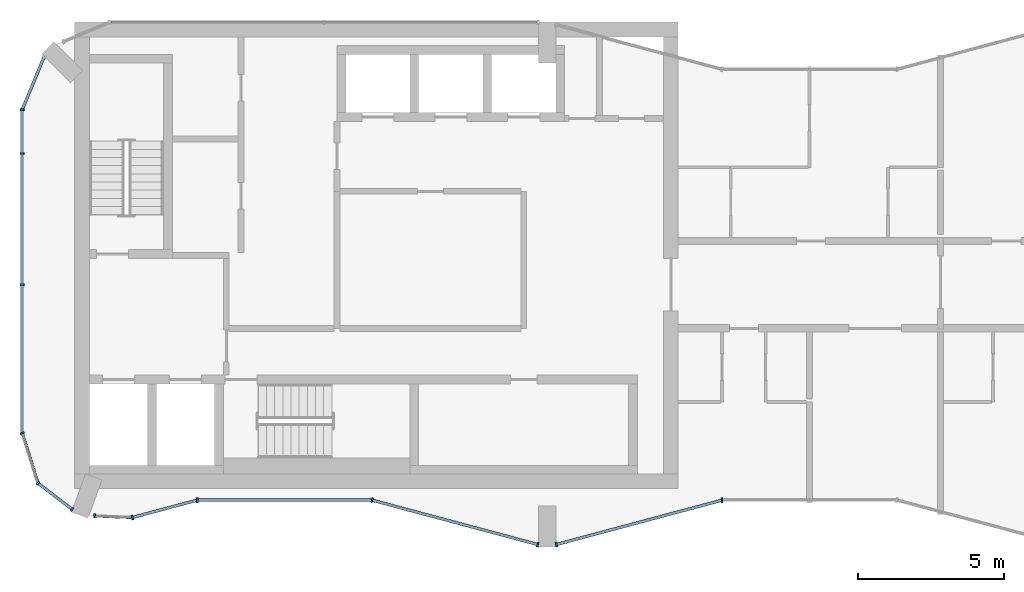
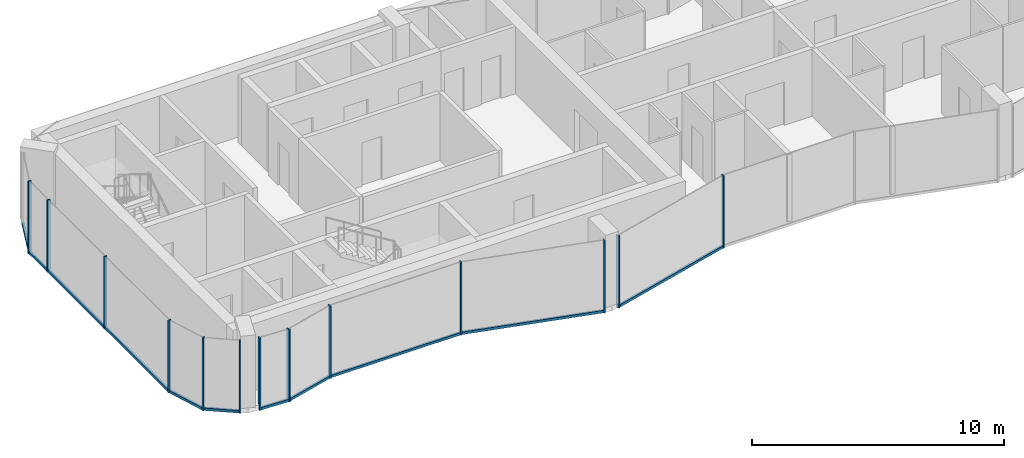
# One storey, part 2 of 10: 22 members, 10 elements without a shape of their own.
"""IFC4 building model written with IfcOpenShell, lengths in metres."""

from ifc_helpers import new_model, si_unit, direction, frame, origin, origin_2d, place, context, subcontext, project, spatial, rectangle, extrude, material, layer, layer_set, material_profile, profile_set, type_object, element, aggregate, save


model = new_model("IFC4")

# Units and contexts
model_context = context("Model", 3, precision=1e-05, world=origin(), true_north=direction((0.0, 1.0)))
body_context = subcontext(model_context, "Body", "Model", "MODEL_VIEW")
ifc_project = project(units=[si_unit("LENGTHUNIT", "METRE"), si_unit("AREAUNIT", "SQUARE_METRE"), si_unit("VOLUMEUNIT", "CUBIC_METRE"), si_unit("PLANEANGLEUNIT", "RADIAN"), si_unit("MASSUNIT", "GRAM", prefix="KILO")], contexts=[model_context])

# Site, building, storey
site_placement = place(None, origin())
site = spatial("IfcSite", under=ifc_project, at=site_placement, CompositionType="ELEMENT")
building_placement = place(site_placement, origin())
building = spatial("IfcBuilding", under=site, at=building_placement, Name="Plateau Cross Towers", CompositionType="ELEMENT")
storey_placement = place(building_placement, frame((0.0, 0.0, 249.39990234375)))
storey = spatial("IfcBuildingStorey", under=building, at=storey_placement, Name="L65", CompositionType="ELEMENT", Elevation=249.39990234375)

# Curtain wall, members
ifc_material_1 = material(Name="Dark low-iron glass", Category="glass")
ifc_layer_1 = layer(ifc_material_1, 0.239990234375)
ifc_layer_set_1 = layer_set([ifc_layer_1], Name="Dark low-iron glass")
curtain_wall_type_1 = type_object("IfcCurtainWallType", Name="Curtain wall flush unitised CW-B", PredefinedType="NOTDEFINED", material=ifc_layer_set_1)
curtain_wall_1_placement = place(storey_placement, origin())
curtain_wall_1 = element("IfcCurtainWall", 1, at=curtain_wall_1_placement, inside=storey, type_object=curtain_wall_type_1, Name="ENV/A/L65/A0_150", PredefinedType="NOTDEFINED")
ifc_material_2 = material(Name="Black anodised aluminium", Category="aluminium")
ifc_material_profile_1 = material_profile(ifc_material_2, rectangle(XDim=0.06005859375, YDim=0.139892578125, at=origin_2d()), Name="MULLION 60x140")
ifc_profile_set_1 = profile_set([ifc_material_profile_1], Name="Black anodised aluminium")
member_type_1 = type_object("IfcMemberType", Name="Mullion 60x140 flush unitised", PredefinedType="MULLION", material=ifc_profile_set_1)
member_1_placement = place(storey_placement, frame((0.0, 15.0, -0.25), z_axis=(0.0, 0.0, 1.0), x_axis=(0.0, -1.0, 0.0)))
member_1 = element("IfcMember", 2, at=member_1_placement, type_object=member_type_1, Name="CW-B mullion 1", PredefinedType="MULLION", context=body_context, shape_type="SweptSolid", body=[
    extrude(rectangle(XDim=0.06005859375, YDim=0.139892578125, at=origin_2d()), origin(), (0.0, 0.0, 1.0), 3.5),
])
member_2_placement = place(storey_placement, frame((0.0, 13.5, -0.25), z_axis=(0.0, 0.0, 1.0), x_axis=(0.0, -1.0, 0.0)))
member_2 = element("IfcMember", 3, at=member_2_placement, type_object=member_type_1, Name="CW-B mullion 2", PredefinedType="MULLION", context=body_context, shape_type="SweptSolid", body=[
    extrude(rectangle(XDim=0.06005859375, YDim=0.139892578125, at=origin_2d()), origin(), (0.0, 0.0, 1.0), 3.5),
])
member_3_placement = place(storey_placement, frame((0.0, 9.0, -0.25), z_axis=(0.0, 0.0, 1.0), x_axis=(0.0, -1.0, 0.0)))
member_3 = element("IfcMember", 4, at=member_3_placement, type_object=member_type_1, Name="CW-B mullion 3", PredefinedType="MULLION", context=body_context, shape_type="SweptSolid", body=[
    extrude(rectangle(XDim=0.06005859375, YDim=0.139892578125, at=origin_2d()), origin(), (0.0, 0.0, 1.0), 3.5),
])

# Curtain wall, member
curtain_wall_2_placement = place(storey_placement, origin())
curtain_wall_2 = element("IfcCurtainWall", 5, at=curtain_wall_2_placement, inside=storey, type_object=curtain_wall_type_1, Name="ENV/A/L65/A0_39", PredefinedType="NOTDEFINED")
member_4_placement = place(storey_placement, frame((0.0, 3.9091796875, -0.25), z_axis=(0.0, 0.0, 1.0), x_axis=(0.300686174994, -0.95372313811, 0.0)))
member_4 = element("IfcMember", 6, at=member_4_placement, type_object=member_type_1, Name="CW-B mullion 1", PredefinedType="MULLION", context=body_context, shape_type="SweptSolid", body=[
    extrude(rectangle(XDim=0.06005859375, YDim=0.139892578125, at=origin_2d()), origin(), (0.0, 0.0, 1.0), 3.5),
])

# Curtain wall, members
curtain_wall_3_placement = place(storey_placement, origin())
curtain_wall_3 = element("IfcCurtainWall", 7, at=curtain_wall_3_placement, inside=storey, type_object=curtain_wall_type_1, Name="ENV/A/L65/A5_22", PredefinedType="NOTDEFINED")
member_5_placement = place(storey_placement, frame((0.54248046875, 2.1884765625, -0.25), z_axis=(0.0, 0.0, 1.0), x_axis=(0.793315514529, -0.608810721331, 0.0)))
member_5 = element("IfcMember", 8, at=member_5_placement, type_object=member_type_1, Name="CW-B mullion 1", PredefinedType="MULLION", context=body_context, shape_type="SweptSolid", body=[
    extrude(rectangle(XDim=0.06005859375, YDim=0.139892578125, at=origin_2d()), origin(), (0.0, 0.0, 1.0), 3.5),
])
member_6_placement = place(storey_placement, frame((1.709716796875, 1.292724609375, -0.25), z_axis=(0.0, 0.0, 1.0), x_axis=(0.793315514529, -0.608810721331, 0.0)))
member_6 = element("IfcMember", 9, at=member_6_placement, type_object=member_type_1, Name="CW-B mullion 2", PredefinedType="MULLION", context=body_context, shape_type="SweptSolid", body=[
    extrude(rectangle(XDim=0.06005859375, YDim=0.139892578125, at=origin_2d()), origin(), (0.0, 0.0, 1.0), 3.5),
])

# Curtain wall, member
curtain_wall_4_placement = place(storey_placement, origin())
curtain_wall_4 = element("IfcCurtainWall", 10, at=curtain_wall_4_placement, inside=storey, type_object=curtain_wall_type_1, Name="ENV/A/L65/A25_11", PredefinedType="NOTDEFINED")
member_7_placement = place(storey_placement, frame((2.483642578125, 1.06787109375, -0.25), z_axis=(0.0, 0.0, 1.0), x_axis=(0.999043701491, -0.043722791671, 0.0)))
member_7 = element("IfcMember", 11, at=member_7_placement, type_object=member_type_1, Name="CW-B mullion 1", PredefinedType="MULLION", context=body_context, shape_type="SweptSolid", body=[
    extrude(rectangle(XDim=0.06005859375, YDim=0.139892578125, at=origin_2d()), origin(), (0.0, 0.0, 1.0), 3.5),
])

ifc_layer_2 = layer(ifc_material_1, 0.260009765625)
ifc_layer_set_2 = layer_set([ifc_layer_2], Name="Dark low-iron glass")
curtain_wall_type_2 = type_object("IfcCurtainWallType", Name="Curtain wall fluted unitised CW-A", PredefinedType="NOTDEFINED", material=ifc_layer_set_2)
curtain_wall_5_placement = place(storey_placement, origin())
curtain_wall_5 = element("IfcCurtainWall", 12, at=curtain_wall_5_placement, inside=storey, type_object=curtain_wall_type_2, Name="ENV/A/L65/A38_10", PredefinedType="NOTDEFINED")
ifc_material_profile_2 = material_profile(ifc_material_2, rectangle(XDim=0.06005859375, YDim=0.159912109375, at=origin_2d()), Name="MULLION 60x160")
ifc_profile_set_2 = profile_set([ifc_material_profile_2], Name="Black anodised aluminium")
member_type_2 = type_object("IfcMemberType", Name="Mullion 60x160 fluted unitised", PredefinedType="MULLION", material=ifc_profile_set_2)
member_8_placement = place(storey_placement, frame((3.776123046875, 1.01123046875, -0.25), z_axis=(0.0, 0.0, 1.0), x_axis=(0.965957962328, 0.258699081978, 0.0)))
member_8 = element("IfcMember", 13, at=member_8_placement, type_object=member_type_2, Name="CW-A mullion 1", PredefinedType="MULLION", context=body_context, shape_type="SweptSolid", body=[
    extrude(rectangle(XDim=0.06005859375, YDim=0.159912109375, at=origin_2d()), origin(), (0.0, 0.0, 1.0), 3.5),
])

curtain_wall_6_placement = place(storey_placement, origin())
curtain_wall_6 = element("IfcCurtainWall", 14, at=curtain_wall_6_placement, inside=storey, type_object=curtain_wall_type_2, Name="ENV/A/L65/A60_16", PredefinedType="NOTDEFINED")
member_9_placement = place(storey_placement, frame((6.0, 1.60693359375, -0.25), z_axis=(0.0, 0.0, 1.0), x_axis=(1.0, 0.0, 0.0)))
member_9 = element("IfcMember", 15, at=member_9_placement, type_object=member_type_2, Name="CW-A mullion 1", PredefinedType="MULLION", context=body_context, shape_type="SweptSolid", body=[
    extrude(rectangle(XDim=0.06005859375, YDim=0.159912109375, at=origin_2d()), origin(), (0.0, 0.0, 1.0), 3.5),
])

# Curtain wall, members
curtain_wall_7_placement = place(storey_placement, origin())
curtain_wall_7 = element("IfcCurtainWall", 16, at=curtain_wall_7_placement, inside=storey, type_object=curtain_wall_type_2, Name="ENV/A/L65/A120_16", PredefinedType="NOTDEFINED")
member_10_placement = place(storey_placement, frame((12.0, 1.60693359375, -0.25), z_axis=(0.0, 0.0, 1.0), x_axis=(0.965957983404, -0.258699003279, 0.0)))
member_10 = element("IfcMember", 17, at=member_10_placement, type_object=member_type_2, Name="CW-A mullion 1", PredefinedType="MULLION", context=body_context, shape_type="SweptSolid", body=[
    extrude(rectangle(XDim=0.06005859375, YDim=0.159912109375, at=origin_2d()), origin(), (0.0, 0.0, 1.0), 3.5),
])
member_11_placement = place(storey_placement, frame((17.68212890625, 0.085205078125, -0.25), z_axis=(0.0, 0.0, 1.0), x_axis=(0.965957983404, -0.258699003279, 0.0)))
member_11 = element("IfcMember", 18, at=member_11_placement, type_object=member_type_2, Name="CW-A mullion 2", PredefinedType="MULLION", context=body_context, shape_type="SweptSolid", body=[
    extrude(rectangle(XDim=0.06005859375, YDim=0.159912109375, at=origin_2d()), origin(), (0.0, 0.0, 1.0), 3.5),
])

# Curtain wall, member
curtain_wall_8_placement = place(storey_placement, origin())
curtain_wall_8 = element("IfcCurtainWall", 19, at=curtain_wall_8_placement, inside=storey, type_object=curtain_wall_type_2, Name="ENV/A/L65/A183_1", PredefinedType="NOTDEFINED")
member_12_placement = place(storey_placement, frame((18.31787109375, 0.085205078125, -0.25), z_axis=(0.0, 0.0, 1.0), x_axis=(0.965957983404, 0.258699003279, 0.0)))
member_12 = element("IfcMember", 20, at=member_12_placement, type_object=member_type_2, Name="CW-A mullion 1", PredefinedType="MULLION", context=body_context, shape_type="SweptSolid", body=[
    extrude(rectangle(XDim=0.06005859375, YDim=0.159912109375, at=origin_2d()), origin(), (0.0, 0.0, 1.0), 3.5),
])

curtain_wall_9_placement = place(storey_placement, origin())
curtain_wall_9 = element("IfcCurtainWall", 21, at=curtain_wall_9_placement, inside=storey, type_object=curtain_wall_type_2, Name="ENV/A/L65/A240_16", PredefinedType="NOTDEFINED")
member_13_placement = place(storey_placement, frame((24.0, 1.60693359375, -0.25), z_axis=(0.0, 0.0, 1.0), x_axis=(1.0, 0.0, 0.0)))
member_13 = element("IfcMember", 22, at=member_13_placement, type_object=member_type_2, Name="CW-A mullion 1", PredefinedType="MULLION", context=body_context, shape_type="SweptSolid", body=[
    extrude(rectangle(XDim=0.06005859375, YDim=0.159912109375, at=origin_2d()), origin(), (0.0, 0.0, 1.0), 3.5),
])
aggregate(curtain_wall_9, [member_13])

curtain_wall_10_placement = place(storey_placement, origin())
curtain_wall_10 = element("IfcCurtainWall", 23, at=curtain_wall_10_placement, inside=storey, type_object=curtain_wall_type_1, Name="ENV/A/L65/A7_168", PredefinedType="NOTDEFINED")
ifc_material_profile_3 = material_profile(ifc_material_2, rectangle(XDim=0.10009765625, YDim=0.1201171875, at=origin_2d()), Name="TRANSOM 100x120")
ifc_profile_set_3 = profile_set([ifc_material_profile_3], Name="Black anodised aluminium")
member_type_3 = type_object("IfcMemberType", Name="Transom 100x120 flush unitised", PredefinedType="USERDEFINED", material=ifc_profile_set_3)
member_14_placement = place(storey_placement, frame((0.748046875, 16.805908203125, -0.18994140625), z_axis=(-0.382690071798, -0.92387678234, 0.0), x_axis=(0.92387678234, -0.382690071798, 0.0)))
member_14 = element("IfcMember", 24, at=member_14_placement, type_object=member_type_3, Name="CW-B transom", ObjectType="TRANSOM", PredefinedType="USERDEFINED", context=body_context, shape_type="SweptSolid", body=[
    extrude(rectangle(XDim=0.10009765625, YDim=0.1201171875, at=origin_2d()), origin(), (0.0, 0.0, 1.0), 1.95458984375),
])
aggregate(curtain_wall_10, [member_14])

# Member
member_15_placement = place(storey_placement, frame((0.0, 15.0, -0.18994140625), z_axis=(0.0, -1.0, 0.0), x_axis=(1.0, 0.0, 0.0)))
member_15 = element("IfcMember", 25, at=member_15_placement, type_object=member_type_3, Name="CW-B transom", ObjectType="TRANSOM", PredefinedType="USERDEFINED", context=body_context, shape_type="SweptSolid", body=[
    extrude(rectangle(XDim=0.10009765625, YDim=0.1201171875, at=origin_2d()), origin(), (0.0, 0.0, 1.0), 11.0908203125),
])

aggregate(curtain_wall_1, [member_1, member_2, member_3, member_15])

member_16_placement = place(storey_placement, frame((0.0, 3.9091796875, -0.18994140625), z_axis=(0.30067799945, -0.953725715626, 0.0), x_axis=(0.953725715626, 0.30067799945, 0.0)))
member_16 = element("IfcMember", 26, at=member_16_placement, type_object=member_type_3, Name="CW-B transom", ObjectType="TRANSOM", PredefinedType="USERDEFINED", context=body_context, shape_type="SweptSolid", body=[
    extrude(rectangle(XDim=0.10009765625, YDim=0.1201171875, at=origin_2d()), origin(), (0.0, 0.0, 1.0), 1.80419921875),
])

aggregate(curtain_wall_2, [member_4, member_16])

member_17_placement = place(storey_placement, frame((0.54248046875, 2.1884765625, -0.18994140625), z_axis=(0.793320508571, -0.608804213751, 0.0), x_axis=(0.608804213751, 0.793320508571, 0.0)))
member_17 = element("IfcMember", 27, at=member_17_placement, type_object=member_type_3, Name="CW-B transom", ObjectType="TRANSOM", PredefinedType="USERDEFINED", context=body_context, shape_type="SweptSolid", body=[
    extrude(rectangle(XDim=0.10009765625, YDim=0.1201171875, at=origin_2d()), origin(), (0.0, 0.0, 1.0), 1.471435546875),
])

aggregate(curtain_wall_3, [member_5, member_6, member_17])

member_18_placement = place(storey_placement, frame((2.483642578125, 1.06787109375, -0.18994140625), z_axis=(0.999041144614, -0.043781175963, 0.0), x_axis=(0.043781175963, 0.999041144614, 0.0)))
member_18 = element("IfcMember", 28, at=member_18_placement, type_object=member_type_3, Name="CW-B transom", ObjectType="TRANSOM", PredefinedType="USERDEFINED", context=body_context, shape_type="SweptSolid", body=[
    extrude(rectangle(XDim=0.10009765625, YDim=0.1201171875, at=origin_2d()), origin(), (0.0, 0.0, 1.0), 1.293701171875),
])

aggregate(curtain_wall_4, [member_7, member_18])

ifc_material_profile_4 = material_profile(ifc_material_2, rectangle(XDim=0.10009765625, YDim=0.1201171875, at=origin_2d()), Name="TRANSOM 100x120")
ifc_profile_set_4 = profile_set([ifc_material_profile_4], Name="Black anodised aluminium")
member_type_4 = type_object("IfcMemberType", Name="Transom 100x120 fluted unitised", PredefinedType="USERDEFINED", material=ifc_profile_set_4)
member_19_placement = place(storey_placement, frame((3.776123046875, 1.01123046875, -0.18994140625), z_axis=(0.965945685136, 0.258744919501, 0.0), x_axis=(-0.258744919501, 0.965945685136, 0.0)))
member_19 = element("IfcMember", 29, at=member_19_placement, type_object=member_type_4, Name="CW-A transom", ObjectType="TRANSOM", PredefinedType="USERDEFINED", context=body_context, shape_type="SweptSolid", body=[
    extrude(rectangle(XDim=0.10009765625, YDim=0.1201171875, at=origin_2d()), origin(), (0.0, 0.0, 1.0), 2.30224609375),
])

aggregate(curtain_wall_5, [member_8, member_19])

member_20_placement = place(storey_placement, frame((6.0, 1.60693359375, -0.18994140625), z_axis=(1.0, 0.0, 0.0), x_axis=(0.0, 1.0, 0.0)))
member_20 = element("IfcMember", 30, at=member_20_placement, type_object=member_type_4, Name="CW-A transom", ObjectType="TRANSOM", PredefinedType="USERDEFINED", context=body_context, shape_type="SweptSolid", body=[
    extrude(rectangle(XDim=0.10009765625, YDim=0.1201171875, at=origin_2d()), origin(), (0.0, 0.0, 1.0), 6.0),
])

aggregate(curtain_wall_6, [member_9, member_20])

member_21_placement = place(storey_placement, frame((12.0, 1.60693359375, -0.18994140625), z_axis=(0.965959534794, -0.258693210465, 0.0), x_axis=(0.258693210465, 0.965959534794, 0.0)))
member_21 = element("IfcMember", 31, at=member_21_placement, type_object=member_type_4, Name="CW-A transom", ObjectType="TRANSOM", PredefinedType="USERDEFINED", context=body_context, shape_type="SweptSolid", body=[
    extrude(rectangle(XDim=0.10009765625, YDim=0.1201171875, at=origin_2d()), origin(), (0.0, 0.0, 1.0), 5.88232421875),
])

aggregate(curtain_wall_7, [member_10, member_11, member_21])

member_22_placement = place(storey_placement, frame((18.31787109375, 0.085205078125, -0.18994140625), z_axis=(0.965959534794, 0.258693210465, 0.0), x_axis=(-0.258693210465, 0.965959534794, 0.0)))
member_22 = element("IfcMember", 32, at=member_22_placement, type_object=member_type_4, Name="CW-A transom", ObjectType="TRANSOM", PredefinedType="USERDEFINED", context=body_context, shape_type="SweptSolid", body=[
    extrude(rectangle(XDim=0.10009765625, YDim=0.1201171875, at=origin_2d()), origin(), (0.0, 0.0, 1.0), 5.88232421875),
])

aggregate(curtain_wall_8, [member_12, member_22])

save(model, "model.ifc")
